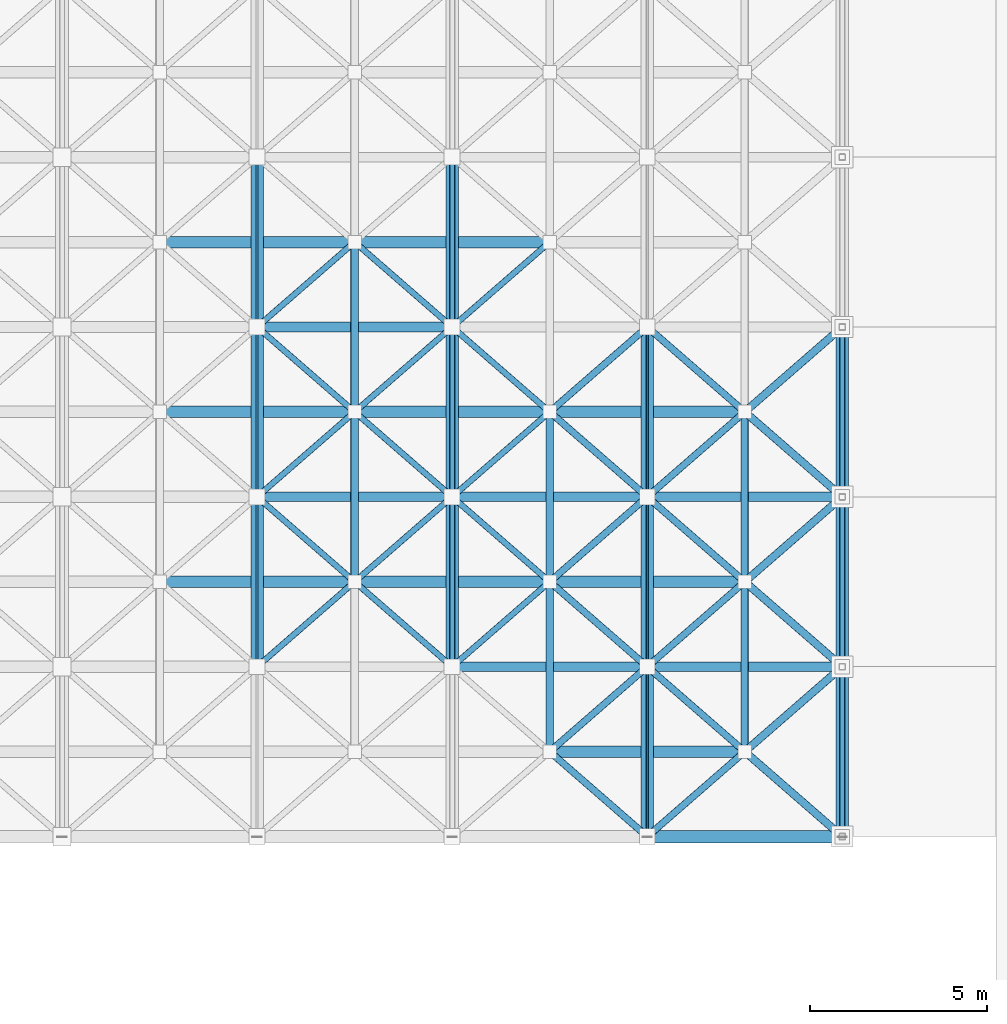
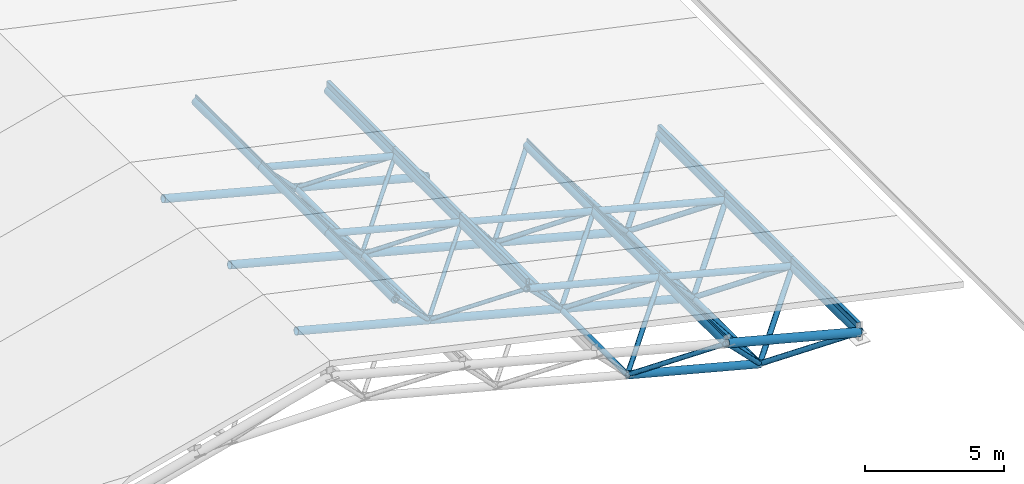
# One storey, part 5 of 60: 79 members.
"""IFC4 building model written with IfcOpenShell, lengths in metres."""

from ifc_helpers import new_model, si_unit, direction, frame, origin, origin_2d, place, context, subcontext, project, spatial, hollow_rectangle, hollow_circle, extrude, material, material_profile, profile_set, type_object, element, save


model = new_model("IFC4")

# Units and contexts
model_context = context("Model", 3, precision=1e-05, world=origin(), true_north=direction((0.0, 1.0)))
body_context = subcontext(model_context, "Body", "Model", "MODEL_VIEW")
ifc_project = project(units=[si_unit("LENGTHUNIT", "METRE"), si_unit("AREAUNIT", "SQUARE_METRE"), si_unit("VOLUMEUNIT", "CUBIC_METRE"), si_unit("PLANEANGLEUNIT", "RADIAN"), si_unit("MASSUNIT", "GRAM", prefix="KILO")], contexts=[model_context])

# Site, building, storey
site_placement = place(None, origin())
site = spatial("IfcSite", under=ifc_project, at=site_placement, CompositionType="ELEMENT")
building_placement = place(site_placement, origin())
building = spatial("IfcBuilding", under=site, at=building_placement, Name="Nakhvara Creek Congress Hotel", CompositionType="ELEMENT")
storey_placement = place(building_placement, frame((0.0, 0.0, 54.60009765625)))
storey = spatial("IfcBuildingStorey", under=building, at=storey_placement, Name="RL1", CompositionType="ELEMENT", Elevation=54.60009765625)

# Members
ifc_material = material(Name="Steel S355J2H", Category="steel")
ifc_material_profile_1 = material_profile(ifc_material, hollow_circle(Radius=0.084228515625, WallThickness=0.010009765625, at=origin_2d()), Name="CHS 168.3x10.0", Category="LoadBearing")
ifc_profile_set_1 = profile_set([ifc_material_profile_1], Name="Steel S355J2H")
member_type_1 = type_object("IfcMemberType", Name="MEM-BRC-CHS168H", PredefinedType="BRACE", material=ifc_profile_set_1)
member_1_placement = place(storey_placement, frame((39.46875, 40.800048828125, -34.050048828125), z_axis=(-0.558223547657, -0.486084649868, 0.672389904746), x_axis=(0.656696195101, -0.754155227616, 0.0)))
element("IfcMember", 1, at=member_1_placement, inside=storey, type_object=member_type_1, Name="Congress Space Frame Web Diagonal 0275", PredefinedType="BRACE", context=body_context, shape_type="SweptSolid", body=[
    extrude(hollow_circle(Radius=0.084228515625, WallThickness=0.010009765625, at=origin_2d()), origin(), (0.0, 0.0, 1.0), 4.937744140625),
])
member_2_placement = place(storey_placement, frame((39.46875, 40.800048828125, -34.050048828125), z_axis=(0.670643902083, -0.583976988608, 0.45739220957), x_axis=(0.656696195101, 0.754155227616, 0.0)))
element("IfcMember", 2, at=member_2_placement, inside=storey, type_object=member_type_1, Name="Congress Space Frame Web Diagonal 0276", PredefinedType="BRACE", context=body_context, shape_type="SweptSolid", body=[
    extrude(hollow_circle(Radius=0.084228515625, WallThickness=0.010009765625, at=origin_2d()), origin(), (0.0, 0.0, 1.0), 4.110107421875),
])
member_3_placement = place(storey_placement, frame((39.46875, 40.800048828125, -34.050048828125), z_axis=(-0.558236963804, 0.486046886997, 0.672406064728), x_axis=(-0.656658200939, -0.754188310132, 0.0)))
element("IfcMember", 3, at=member_3_placement, inside=storey, type_object=member_type_1, Name="Congress Space Frame Web Diagonal 0277", PredefinedType="BRACE", context=body_context, shape_type="SweptSolid", body=[
    extrude(hollow_circle(Radius=0.084228515625, WallThickness=0.010009765625, at=origin_2d()), origin(), (0.0, 0.0, 1.0), 4.9375),
])
member_4_placement = place(storey_placement, frame((39.46875, 40.800048828125, -34.050048828125), z_axis=(0.670667166184, 0.583937842656, 0.457408076139), x_axis=(-0.656658200939, 0.754188310132, 0.0)))
element("IfcMember", 4, at=member_4_placement, inside=storey, type_object=member_type_1, Name="Congress Space Frame Web Diagonal 0278", PredefinedType="BRACE", context=body_context, shape_type="SweptSolid", body=[
    extrude(hollow_circle(Radius=0.084228515625, WallThickness=0.010009765625, at=origin_2d()), origin(), (0.0, 0.0, 1.0), 4.10986328125),
])
member_5_placement = place(storey_placement, frame((44.981201171875, 40.800048828125, -35.489990234375), z_axis=(-0.558208068284, -0.486114227947, 0.672381372355), x_axis=(0.656729278158, -0.754126418587, 0.0)))
element("IfcMember", 5, at=member_5_placement, inside=storey, type_object=member_type_1, Name="Congress Space Frame Web Diagonal 0281", PredefinedType="BRACE", context=body_context, shape_type="SweptSolid", body=[
    extrude(hollow_circle(Radius=0.084228515625, WallThickness=0.010009765625, at=origin_2d()), origin(), (0.0, 0.0, 1.0), 4.9375),
])
member_6_placement = place(storey_placement, frame((44.981201171875, 40.800048828125, -35.489990234375), z_axis=(-0.558221485692, 0.4860764642, 0.672397534099), x_axis=(-0.656691284984, -0.754159503173, 0.0)))
element("IfcMember", 6, at=member_6_placement, inside=storey, type_object=member_type_1, Name="Congress Space Frame Web Diagonal 0283", PredefinedType="BRACE", context=body_context, shape_type="SweptSolid", body=[
    extrude(hollow_circle(Radius=0.084228515625, WallThickness=0.010009765625, at=origin_2d()), origin(), (0.0, 0.0, 1.0), 4.937255859375),
])
member_7_placement = place(storey_placement, frame((39.46875, 45.60009765625, -34.050048828125), z_axis=(-0.558223547657, -0.486084649868, 0.672389904746), x_axis=(0.656696195101, -0.754155227616, 0.0)))
element("IfcMember", 7, at=member_7_placement, inside=storey, type_object=member_type_1, Name="Congress Space Frame Web Diagonal 0322", PredefinedType="BRACE", context=body_context, shape_type="SweptSolid", body=[
    extrude(hollow_circle(Radius=0.084228515625, WallThickness=0.010009765625, at=origin_2d()), origin(), (0.0, 0.0, 1.0), 4.937744140625),
])
member_8_placement = place(storey_placement, frame((39.46875, 45.60009765625, -34.050048828125), z_axis=(0.670643902083, -0.583976988608, 0.45739220957), x_axis=(0.656696195101, 0.754155227616, 0.0)))
element("IfcMember", 8, at=member_8_placement, inside=storey, type_object=member_type_1, Name="Congress Space Frame Web Diagonal 0323", PredefinedType="BRACE", context=body_context, shape_type="SweptSolid", body=[
    extrude(hollow_circle(Radius=0.084228515625, WallThickness=0.010009765625, at=origin_2d()), origin(), (0.0, 0.0, 1.0), 4.110107421875),
])
member_9_placement = place(storey_placement, frame((39.46875, 45.60009765625, -34.050048828125), z_axis=(-0.558236963804, 0.486046886997, 0.672406064728), x_axis=(-0.656658200939, -0.754188310132, 0.0)))
element("IfcMember", 9, at=member_9_placement, inside=storey, type_object=member_type_1, Name="Congress Space Frame Web Diagonal 0324", PredefinedType="BRACE", context=body_context, shape_type="SweptSolid", body=[
    extrude(hollow_circle(Radius=0.084228515625, WallThickness=0.010009765625, at=origin_2d()), origin(), (0.0, 0.0, 1.0), 4.9375),
])
member_10_placement = place(storey_placement, frame((39.46875, 45.60009765625, -34.050048828125), z_axis=(0.670667166184, 0.583937842656, 0.457408076139), x_axis=(-0.656658200939, 0.754188310132, 0.0)))
element("IfcMember", 10, at=member_10_placement, inside=storey, type_object=member_type_1, Name="Congress Space Frame Web Diagonal 0325", PredefinedType="BRACE", context=body_context, shape_type="SweptSolid", body=[
    extrude(hollow_circle(Radius=0.084228515625, WallThickness=0.010009765625, at=origin_2d()), origin(), (0.0, 0.0, 1.0), 4.10986328125),
])
member_11_placement = place(storey_placement, frame((44.981201171875, 45.60009765625, -35.489990234375), z_axis=(-0.558208068284, -0.486114227947, 0.672381372355), x_axis=(0.656729278158, -0.754126418587, 0.0)))
element("IfcMember", 11, at=member_11_placement, inside=storey, type_object=member_type_1, Name="Congress Space Frame Web Diagonal 0328", PredefinedType="BRACE", context=body_context, shape_type="SweptSolid", body=[
    extrude(hollow_circle(Radius=0.084228515625, WallThickness=0.010009765625, at=origin_2d()), origin(), (0.0, 0.0, 1.0), 4.9375),
])
member_12_placement = place(storey_placement, frame((44.981201171875, 45.60009765625, -35.489990234375), z_axis=(-0.558221485692, 0.4860764642, 0.672397534099), x_axis=(-0.656691284984, -0.754159503173, 0.0)))
element("IfcMember", 12, at=member_12_placement, inside=storey, type_object=member_type_1, Name="Congress Space Frame Web Diagonal 0330", PredefinedType="BRACE", context=body_context, shape_type="SweptSolid", body=[
    extrude(hollow_circle(Radius=0.084228515625, WallThickness=0.010009765625, at=origin_2d()), origin(), (0.0, 0.0, 1.0), 4.937255859375),
])
member_13_placement = place(storey_placement, frame((39.46875, 50.39990234375, -34.050048828125), z_axis=(-0.558236963804, -0.486046886997, 0.672406064728), x_axis=(0.656658200939, -0.754188310132, 0.0)))
element("IfcMember", 13, at=member_13_placement, inside=storey, type_object=member_type_1, Name="Congress Space Frame Web Diagonal 0369", PredefinedType="BRACE", context=body_context, shape_type="SweptSolid", body=[
    extrude(hollow_circle(Radius=0.084228515625, WallThickness=0.010009765625, at=origin_2d()), origin(), (0.0, 0.0, 1.0), 4.9375),
])
member_14_placement = place(storey_placement, frame((39.46875, 50.39990234375, -34.050048828125), z_axis=(0.670667166184, -0.583937842656, 0.457408076139), x_axis=(0.656658200939, 0.754188310132, 0.0)))
element("IfcMember", 14, at=member_14_placement, inside=storey, type_object=member_type_1, Name="Congress Space Frame Web Diagonal 0370", PredefinedType="BRACE", context=body_context, shape_type="SweptSolid", body=[
    extrude(hollow_circle(Radius=0.084228515625, WallThickness=0.010009765625, at=origin_2d()), origin(), (0.0, 0.0, 1.0), 4.10986328125),
])
member_15_placement = place(storey_placement, frame((44.981201171875, 50.39990234375, -35.489990234375), z_axis=(-0.558221485692, -0.4860764642, 0.672397534099), x_axis=(0.656691284984, -0.754159503173, 0.0)))
element("IfcMember", 15, at=member_15_placement, inside=storey, type_object=member_type_1, Name="Congress Space Frame Web Diagonal 0375", PredefinedType="BRACE", context=body_context, shape_type="SweptSolid", body=[
    extrude(hollow_circle(Radius=0.084228515625, WallThickness=0.010009765625, at=origin_2d()), origin(), (0.0, 0.0, 1.0), 4.937255859375),
])
ifc_material_profile_2 = material_profile(ifc_material, hollow_circle(Radius=0.096923828125, WallThickness=0.010009765625, at=origin_2d()), Name="CHS 193.7x10.0", Category="LoadBearing")
ifc_profile_set_2 = profile_set([ifc_material_profile_2], Name="Steel S355J2H")
member_type_2 = type_object("IfcMemberType", Name="MEM-BRC-CHS193", PredefinedType="BRACE", material=ifc_profile_set_2)
for number, where, z_axis, x_axis, name in (
    (16, (44.981201171875, 36.0, -35.489990234375), (0.670667166184, -0.583937842656, 0.457408076139), (0.656658200939, 0.754188310132, 0.0), "Congress Space Frame Web Diagonal 0235"),
    (17, (44.981201171875, 36.0, -35.489990234375), (0.670667166184, 0.583937842656, 0.457408076139), (-0.656658200939, 0.754188310132, 0.0), "Congress Space Frame Web Diagonal 0237"),
):
    element("IfcMember", number, at=place(storey_placement, frame(where, z_axis=z_axis, x_axis=x_axis)), inside=storey, type_object=member_type_2, Name=name, PredefinedType="BRACE", context=body_context, shape_type="SweptSolid", body=[
        extrude(hollow_circle(Radius=0.096923828125, WallThickness=0.010009765625, at=origin_2d()), origin(), (0.0, 0.0, 1.0), 4.10986328125),
    ])
for number, where, z_axis, x_axis, name in (
    (18, (50.49365234375, 36.0, -36.93017578125), (-0.558202925689, -0.486060302908, 0.672424624541), (0.656691284984, -0.754159503173, 0.0), "Congress Space Frame Web Diagonal 0239"),
    (19, (50.49365234375, 36.0, -36.93017578125), (-0.558202925689, 0.486060302908, 0.672424624541), (-0.656691284984, -0.754159503173, 0.0), "Congress Space Frame Web Diagonal 0241"),
):
    element("IfcMember", number, at=place(storey_placement, frame(where, z_axis=z_axis, x_axis=x_axis)), inside=storey, type_object=member_type_2, Name=name, PredefinedType="BRACE", context=body_context, shape_type="SweptSolid", body=[
        extrude(hollow_circle(Radius=0.096923828125, WallThickness=0.010009765625, at=origin_2d()), origin(), (0.0, 0.0, 1.0), 4.9375),
    ])
member_16_placement = place(storey_placement, frame((44.981201171875, 40.800048828125, -35.489990234375), z_axis=(0.670643902083, -0.583976988608, 0.45739220957), x_axis=(0.656696195101, 0.754155227616, 0.0)))
element("IfcMember", 20, at=member_16_placement, inside=storey, type_object=member_type_2, Name="Congress Space Frame Web Diagonal 0282", PredefinedType="BRACE", context=body_context, shape_type="SweptSolid", body=[
    extrude(hollow_circle(Radius=0.096923828125, WallThickness=0.010009765625, at=origin_2d()), origin(), (0.0, 0.0, 1.0), 4.110107421875),
])
member_17_placement = place(storey_placement, frame((44.981201171875, 40.800048828125, -35.489990234375), z_axis=(0.670667166184, 0.583937842656, 0.457408076139), x_axis=(-0.656658200939, 0.754188310132, 0.0)))
element("IfcMember", 21, at=member_17_placement, inside=storey, type_object=member_type_2, Name="Congress Space Frame Web Diagonal 0284", PredefinedType="BRACE", context=body_context, shape_type="SweptSolid", body=[
    extrude(hollow_circle(Radius=0.096923828125, WallThickness=0.010009765625, at=origin_2d()), origin(), (0.0, 0.0, 1.0), 4.10986328125),
])
for number, where, z_axis, x_axis, name in (
    (22, (50.49365234375, 40.800048828125, -36.93017578125), (-0.558189509619, -0.486098066176, 0.672408463221), (0.656729278158, -0.754126418587, 0.0), "Congress Space Frame Web Diagonal 0286"),
    (23, (50.49365234375, 40.800048828125, -36.93017578125), (-0.558202925689, 0.486060302908, 0.672424624541), (-0.656691284984, -0.754159503173, 0.0), "Congress Space Frame Web Diagonal 0288"),
):
    element("IfcMember", number, at=place(storey_placement, frame(where, z_axis=z_axis, x_axis=x_axis)), inside=storey, type_object=member_type_2, Name=name, PredefinedType="BRACE", context=body_context, shape_type="SweptSolid", body=[
        extrude(hollow_circle(Radius=0.096923828125, WallThickness=0.010009765625, at=origin_2d()), origin(), (0.0, 0.0, 1.0), 4.9375),
    ])
member_18_placement = place(storey_placement, frame((44.981201171875, 45.60009765625, -35.489990234375), z_axis=(0.670643902083, -0.583976988608, 0.45739220957), x_axis=(0.656696195101, 0.754155227616, 0.0)))
element("IfcMember", 24, at=member_18_placement, inside=storey, type_object=member_type_2, Name="Congress Space Frame Web Diagonal 0329", PredefinedType="BRACE", context=body_context, shape_type="SweptSolid", body=[
    extrude(hollow_circle(Radius=0.096923828125, WallThickness=0.010009765625, at=origin_2d()), origin(), (0.0, 0.0, 1.0), 4.110107421875),
])
member_19_placement = place(storey_placement, frame((44.981201171875, 45.60009765625, -35.489990234375), z_axis=(0.670667166184, 0.583937842656, 0.457408076139), x_axis=(-0.656658200939, 0.754188310132, 0.0)))
element("IfcMember", 25, at=member_19_placement, inside=storey, type_object=member_type_2, Name="Congress Space Frame Web Diagonal 0331", PredefinedType="BRACE", context=body_context, shape_type="SweptSolid", body=[
    extrude(hollow_circle(Radius=0.096923828125, WallThickness=0.010009765625, at=origin_2d()), origin(), (0.0, 0.0, 1.0), 4.10986328125),
])
for number, where, z_axis, x_axis, name in (
    (26, (50.49365234375, 45.60009765625, -36.93017578125), (-0.558189509619, -0.486098066176, 0.672408463221), (0.656729278158, -0.754126418587, 0.0), "Congress Space Frame Web Diagonal 0333"),
    (27, (50.49365234375, 45.60009765625, -36.93017578125), (-0.558202925689, 0.486060302908, 0.672424624541), (-0.656691284984, -0.754159503173, 0.0), "Congress Space Frame Web Diagonal 0335"),
):
    element("IfcMember", number, at=place(storey_placement, frame(where, z_axis=z_axis, x_axis=x_axis)), inside=storey, type_object=member_type_2, Name=name, PredefinedType="BRACE", context=body_context, shape_type="SweptSolid", body=[
        extrude(hollow_circle(Radius=0.096923828125, WallThickness=0.010009765625, at=origin_2d()), origin(), (0.0, 0.0, 1.0), 4.9375),
    ])
ifc_material_profile_3 = material_profile(ifc_material, hollow_circle(Radius=0.109619140625, WallThickness=0.010009765625, at=origin_2d()), Name="CHS 219.1x10.0", Category="LoadBearing")
ifc_profile_set_3 = profile_set([ifc_material_profile_3], Name="Steel S355J2H")
member_type_3 = type_object("IfcMemberType", Name="MEM-BRC-CHS219", PredefinedType="BRACE", material=ifc_profile_set_3)
for number, where, z_axis, x_axis, name in (
    (28, (50.49365234375, 36.0, -36.93017578125), (0.670648942571, -0.583921975684, 0.457455049313), (0.656658200939, 0.754188310132, 0.0), "Congress Space Frame Web Diagonal 0240"),
    (29, (50.49365234375, 36.0, -36.93017578125), (0.670648942571, 0.583921975684, 0.457455049313), (-0.656658200939, 0.754188310132, 0.0), "Congress Space Frame Web Diagonal 0242"),
):
    element("IfcMember", number, at=place(storey_placement, frame(where, z_axis=z_axis, x_axis=x_axis)), inside=storey, type_object=member_type_3, Name=name, PredefinedType="BRACE", context=body_context, shape_type="SweptSolid", body=[
        extrude(hollow_circle(Radius=0.109619140625, WallThickness=0.010009765625, at=origin_2d()), origin(), (0.0, 0.0, 1.0), 4.10986328125),
    ])
member_20_placement = place(storey_placement, frame((50.49365234375, 40.800048828125, -36.93017578125), z_axis=(0.670625680367, -0.583961121673, 0.457439181976), x_axis=(0.656696195101, 0.754155227616, 0.0)))
element("IfcMember", 30, at=member_20_placement, inside=storey, type_object=member_type_3, Name="Congress Space Frame Web Diagonal 0287", PredefinedType="BRACE", context=body_context, shape_type="SweptSolid", body=[
    extrude(hollow_circle(Radius=0.109619140625, WallThickness=0.010009765625, at=origin_2d()), origin(), (0.0, 0.0, 1.0), 4.110107421875),
])
member_21_placement = place(storey_placement, frame((50.49365234375, 40.800048828125, -36.93017578125), z_axis=(0.670648942571, 0.583921975684, 0.457455049313), x_axis=(-0.656658200939, 0.754188310132, 0.0)))
element("IfcMember", 31, at=member_21_placement, inside=storey, type_object=member_type_3, Name="Congress Space Frame Web Diagonal 0289", PredefinedType="BRACE", context=body_context, shape_type="SweptSolid", body=[
    extrude(hollow_circle(Radius=0.109619140625, WallThickness=0.010009765625, at=origin_2d()), origin(), (0.0, 0.0, 1.0), 4.10986328125),
])
member_22_placement = place(storey_placement, frame((50.49365234375, 45.60009765625, -36.93017578125), z_axis=(0.670625680367, -0.583961121673, 0.457439181976), x_axis=(0.656696195101, 0.754155227616, 0.0)))
element("IfcMember", 32, at=member_22_placement, inside=storey, type_object=member_type_3, Name="Congress Space Frame Web Diagonal 0334", PredefinedType="BRACE", context=body_context, shape_type="SweptSolid", body=[
    extrude(hollow_circle(Radius=0.109619140625, WallThickness=0.010009765625, at=origin_2d()), origin(), (0.0, 0.0, 1.0), 4.110107421875),
])
member_23_placement = place(storey_placement, frame((50.49365234375, 45.60009765625, -36.93017578125), z_axis=(0.670648942571, 0.583921975684, 0.457455049313), x_axis=(-0.656658200939, 0.754188310132, 0.0)))
element("IfcMember", 33, at=member_23_placement, inside=storey, type_object=member_type_3, Name="Congress Space Frame Web Diagonal 0336", PredefinedType="BRACE", context=body_context, shape_type="SweptSolid", body=[
    extrude(hollow_circle(Radius=0.109619140625, WallThickness=0.010009765625, at=origin_2d()), origin(), (0.0, 0.0, 1.0), 4.10986328125),
])
ifc_material_profile_4 = material_profile(ifc_material, hollow_circle(Radius=0.109619140625, WallThickness=0.012451171875, at=origin_2d()), Name="CHS 219.1x12.5", Category="LoadBearing")
ifc_profile_set_4 = profile_set([ifc_material_profile_4], Name="Steel S355J2H")
member_type_4 = type_object("IfcMemberType", Name="MEM-CHD-CHS219H", PredefinedType="CHORD", material=ifc_profile_set_4)
for number, where, z_axis, x_axis, name in (
    (34, (44.981201171875, 36.0, -35.489990234375), (0.0, 1.0, 0.0), (-1.0, 0.0, 0.0), "Congress Roof Truss Bottom Tie 0233"),
    (35, (50.49365234375, 36.0, -36.93017578125), (0.0, 1.0, 0.0), (-1.0, 0.0, 0.0), "Congress Roof Truss Bottom Tie 0238"),
    (36, (39.46875, 40.800048828125, -34.050048828125), (0.0, 1.0, 0.0), (-1.0, 0.0, 0.0), "Congress Roof Truss Bottom Tie 0274"),
    (37, (44.981201171875, 40.800048828125, -35.489990234375), (0.0, 1.0, 0.0), (-1.0, 0.0, 0.0), "Congress Roof Truss Bottom Tie 0280"),
    (38, (50.49365234375, 40.800048828125, -36.93017578125), (0.0, 1.0, 0.0), (-1.0, 0.0, 0.0), "Congress Roof Truss Bottom Tie 0285"),
):
    element("IfcMember", number, at=place(storey_placement, frame(where, z_axis=z_axis, x_axis=x_axis)), inside=storey, type_object=member_type_4, Name=name, PredefinedType="CHORD", context=body_context, shape_type="SweptSolid", body=[
        extrude(hollow_circle(Radius=0.109619140625, WallThickness=0.012451171875, at=origin_2d()), origin(), (0.0, 0.0, 1.0), 4.800048828125),
    ])
member_24_placement = place(storey_placement, frame((39.46875, 45.60009765625, -34.050048828125), z_axis=(0.0, 1.0, 0.0), x_axis=(-1.0, 0.0, 0.0)))
element("IfcMember", 39, at=member_24_placement, inside=storey, type_object=member_type_4, Name="Congress Roof Truss Bottom Tie 0321", PredefinedType="CHORD", context=body_context, shape_type="SweptSolid", body=[
    extrude(hollow_circle(Radius=0.109619140625, WallThickness=0.012451171875, at=origin_2d()), origin(), (0.0, 0.0, 1.0), 4.7998046875),
])
ifc_material_profile_5 = material_profile(ifc_material, hollow_circle(Radius=0.136474609375, WallThickness=0.01611328125, at=origin_2d()), Name="CHS 273.0x16.0", Category="LoadBearing")
ifc_profile_set_5 = profile_set([ifc_material_profile_5], Name="Steel S355J2H")
member_type_5 = type_object("IfcMemberType", Name="MEM-CHD-CHS273H", PredefinedType="CHORD", material=ifc_profile_set_5)
for number, where, z_axis, x_axis, name in (
    (40, (42.22509765625, 38.39990234375, -32.170166015625), (0.967535311358, 0.0, -0.252735872554), (0.0, 1.0, 0.0), "Congress Space Frame Top Chord 0030"),
    (41, (47.737548828125, 38.39990234375, -33.610107421875), (0.967535311358, 0.0, -0.252735872554), (0.0, 1.0, 0.0), "Congress Space Frame Top Chord 0032"),
):
    element("IfcMember", number, at=place(storey_placement, frame(where, z_axis=z_axis, x_axis=x_axis)), inside=storey, type_object=member_type_5, Name=name, PredefinedType="CHORD", context=body_context, shape_type="SweptSolid", body=[
        extrude(hollow_circle(Radius=0.136474609375, WallThickness=0.01611328125, at=origin_2d()), origin(), (0.0, 0.0, 1.0), 5.697509765625),
    ])
member_25_placement = place(storey_placement, frame((36.71240234375, 43.199951171875, -30.72998046875), z_axis=(0.967527570021, 0.0, -0.252765506446), x_axis=(0.0, 1.0, 0.0)))
element("IfcMember", 42, at=member_25_placement, inside=storey, type_object=member_type_5, Name="Congress Space Frame Top Chord 0045", PredefinedType="CHORD", context=body_context, shape_type="SweptSolid", body=[
    extrude(hollow_circle(Radius=0.136474609375, WallThickness=0.01611328125, at=origin_2d()), origin(), (0.0, 0.0, 1.0), 5.69775390625),
])
for number, where, z_axis, x_axis, name in (
    (43, (42.22509765625, 43.199951171875, -32.170166015625), (0.967535311358, 0.0, -0.252735872554), (0.0, 1.0, 0.0), "Congress Space Frame Top Chord 0047"),
    (44, (47.737548828125, 43.199951171875, -33.610107421875), (0.967535311358, 0.0, -0.252735872554), (0.0, 1.0, 0.0), "Congress Space Frame Top Chord 0049"),
):
    element("IfcMember", number, at=place(storey_placement, frame(where, z_axis=z_axis, x_axis=x_axis)), inside=storey, type_object=member_type_5, Name=name, PredefinedType="CHORD", context=body_context, shape_type="SweptSolid", body=[
        extrude(hollow_circle(Radius=0.136474609375, WallThickness=0.01611328125, at=origin_2d()), origin(), (0.0, 0.0, 1.0), 5.697509765625),
    ])
member_26_placement = place(storey_placement, frame((36.71240234375, 48.0, -30.72998046875), z_axis=(0.967527570021, 0.0, -0.252765506446), x_axis=(0.0, 1.0, 0.0)))
element("IfcMember", 45, at=member_26_placement, inside=storey, type_object=member_type_5, Name="Congress Space Frame Top Chord 0062", PredefinedType="CHORD", context=body_context, shape_type="SweptSolid", body=[
    extrude(hollow_circle(Radius=0.136474609375, WallThickness=0.01611328125, at=origin_2d()), origin(), (0.0, 0.0, 1.0), 5.69775390625),
])
ifc_material_profile_6 = material_profile(ifc_material, hollow_circle(Radius=0.161865234375, WallThickness=0.012451171875, at=origin_2d()), Name="CHS 323.9x12.5", Category="LoadBearing")
ifc_profile_set_6 = profile_set([ifc_material_profile_6], Name="Steel S355J2H")
member_type_6 = type_object("IfcMemberType", Name="MEM-CHD-CHS324", PredefinedType="CHORD", material=ifc_profile_set_6)
for number, where, z_axis, x_axis, name in (
    (46, (44.981201171875, 36.0, -35.489990234375), (0.967524832219, 0.0, -0.252775985883), (0.0, 1.0, 0.0), "Congress Space Frame Bottom Chord 0232"),
    (47, (33.956298828125, 40.800048828125, -32.610107421875), (0.967535311358, 0.0, -0.252735872554), (0.0, 1.0, 0.0), "Congress Space Frame Bottom Chord 0267"),
    (48, (39.46875, 40.800048828125, -34.050048828125), (0.967535311358, 0.0, -0.252735872554), (0.0, 1.0, 0.0), "Congress Space Frame Bottom Chord 0273"),
    (49, (44.981201171875, 40.800048828125, -35.489990234375), (0.967524832219, 0.0, -0.252775985883), (0.0, 1.0, 0.0), "Congress Space Frame Bottom Chord 0279"),
    (50, (33.956298828125, 45.60009765625, -32.610107421875), (0.967535311358, 0.0, -0.252735872554), (0.0, 1.0, 0.0), "Congress Space Frame Bottom Chord 0314"),
    (51, (39.46875, 45.60009765625, -34.050048828125), (0.967535311358, 0.0, -0.252735872554), (0.0, 1.0, 0.0), "Congress Space Frame Bottom Chord 0320"),
    (52, (44.981201171875, 45.60009765625, -35.489990234375), (0.967524832219, 0.0, -0.252775985883), (0.0, 1.0, 0.0), "Congress Space Frame Bottom Chord 0326"),
    (53, (33.956298828125, 50.39990234375, -32.610107421875), (0.967535311358, 0.0, -0.252735872554), (0.0, 1.0, 0.0), "Congress Space Frame Bottom Chord 0361"),
    (54, (39.46875, 50.39990234375, -34.050048828125), (0.967535311358, 0.0, -0.252735872554), (0.0, 1.0, 0.0), "Congress Space Frame Bottom Chord 0367"),
):
    element("IfcMember", number, at=place(storey_placement, frame(where, z_axis=z_axis, x_axis=x_axis)), inside=storey, type_object=member_type_6, Name=name, PredefinedType="CHORD", context=body_context, shape_type="SweptSolid", body=[
        extrude(hollow_circle(Radius=0.161865234375, WallThickness=0.012451171875, at=origin_2d()), origin(), (0.0, 0.0, 1.0), 5.697509765625),
    ])
ifc_material_profile_7 = material_profile(ifc_material, hollow_circle(Radius=0.177734375, WallThickness=0.01611328125, at=origin_2d()), Name="CHS 355.6x16.0", Category="LoadBearing")
ifc_profile_set_7 = profile_set([ifc_material_profile_7], Name="Steel S355J2H")
member_type_7 = type_object("IfcMemberType", Name="MEM-CHD-CHS355", PredefinedType="CHORD", material=ifc_profile_set_7)
member_27_placement = place(storey_placement, frame((47.737548828125, 33.60009765625, -33.610107421875), z_axis=(0.967535311358, 0.0, -0.252735872554), x_axis=(0.0, 1.0, 0.0)))
element("IfcMember", 55, at=member_27_placement, inside=storey, type_object=member_type_7, Name="Congress Space Frame Top Chord 0015", PredefinedType="CHORD", context=body_context, shape_type="SweptSolid", body=[
    extrude(hollow_circle(Radius=0.177734375, WallThickness=0.01611328125, at=origin_2d()), origin(), (0.0, 0.0, 1.0), 5.697509765625),
])
for number, where, z_axis, x_axis, name in (
    (56, (47.737548828125, 33.60009765625, -33.610107421875), (0.0, 1.0, 0.0), (-1.0, 0.0, 0.0), "Congress Roof Truss Longitudinal Chord 0016"),
    (57, (53.25, 33.60009765625, -35.050048828125), (0.0, 1.0, 0.0), (-1.0, 0.0, 0.0), "Congress Roof Truss Longitudinal Chord 0017"),
):
    element("IfcMember", number, at=place(storey_placement, frame(where, z_axis=z_axis, x_axis=x_axis)), inside=storey, type_object=member_type_7, Name=name, PredefinedType="CHORD", context=body_context, shape_type="SweptSolid", body=[
        extrude(hollow_circle(Radius=0.177734375, WallThickness=0.01611328125, at=origin_2d()), origin(), (0.0, 0.0, 1.0), 4.7998046875),
    ])
for number, where, z_axis, x_axis, name in (
    (58, (36.71240234375, 38.39990234375, -30.72998046875), (0.0, 1.0, 0.0), (-1.0, 0.0, 0.0), "Congress Roof Truss Longitudinal Chord 0029"),
    (59, (42.22509765625, 38.39990234375, -32.170166015625), (0.0, 1.0, 0.0), (-1.0, 0.0, 0.0), "Congress Roof Truss Longitudinal Chord 0031"),
    (60, (47.737548828125, 38.39990234375, -33.610107421875), (0.0, 1.0, 0.0), (-1.0, 0.0, 0.0), "Congress Roof Truss Longitudinal Chord 0033"),
    (61, (53.25, 38.39990234375, -35.050048828125), (0.0, 1.0, 0.0), (-1.0, 0.0, 0.0), "Congress Roof Truss Longitudinal Chord 0034"),
    (62, (36.71240234375, 43.199951171875, -30.72998046875), (0.0, 1.0, 0.0), (-1.0, 0.0, 0.0), "Congress Roof Truss Longitudinal Chord 0046"),
    (63, (42.22509765625, 43.199951171875, -32.170166015625), (0.0, 1.0, 0.0), (-1.0, 0.0, 0.0), "Congress Roof Truss Longitudinal Chord 0048"),
    (64, (47.737548828125, 43.199951171875, -33.610107421875), (0.0, 1.0, 0.0), (-1.0, 0.0, 0.0), "Congress Roof Truss Longitudinal Chord 0050"),
    (65, (53.25, 43.199951171875, -35.050048828125), (0.0, 1.0, 0.0), (-1.0, 0.0, 0.0), "Congress Roof Truss Longitudinal Chord 0051"),
    (66, (36.71240234375, 48.0, -30.72998046875), (0.0, 1.0, 0.0), (-1.0, 0.0, 0.0), "Congress Roof Truss Longitudinal Chord 0063"),
    (67, (42.22509765625, 48.0, -32.170166015625), (0.0, 1.0, 0.0), (-1.0, 0.0, 0.0), "Congress Roof Truss Longitudinal Chord 0065"),
):
    element("IfcMember", number, at=place(storey_placement, frame(where, z_axis=z_axis, x_axis=x_axis)), inside=storey, type_object=member_type_7, Name=name, PredefinedType="CHORD", context=body_context, shape_type="SweptSolid", body=[
        extrude(hollow_circle(Radius=0.177734375, WallThickness=0.01611328125, at=origin_2d()), origin(), (0.0, 0.0, 1.0), 4.800048828125),
    ])
ifc_material_profile_8 = material_profile(ifc_material, hollow_rectangle(XDim=0.06005859375, YDim=0.1201171875, WallThickness=0.0048828125, InnerFilletRadius=0.0048828125, OuterFilletRadius=0.010009765625, at=origin_2d()), Name="RHS 120x60x5.0", Category="LoadBearing")
ifc_profile_set_8 = profile_set([ifc_material_profile_8], Name="Steel S355J2H")
member_type_8 = type_object("IfcMemberType", Name="MEM-PUR-RHS120", PredefinedType="PURLIN", material=ifc_profile_set_8)
for number, where, z_axis, x_axis, name in (
    (68, (36.71240234375, 38.39990234375, -30.498046875), (0.0, 1.0, 0.0), (-1.0, 0.0, 0.0), "Congress Roof Purlin 057"),
    (69, (36.71240234375, 43.199951171875, -30.498046875), (0.0, 1.0, 0.0), (-1.0, 0.0, 0.0), "Congress Roof Purlin 058"),
    (70, (36.71240234375, 48.0, -30.498046875), (0.0, 1.0, 0.0), (-1.0, 0.0, 0.0), "Congress Roof Purlin 059"),
):
    element("IfcMember", number, at=place(storey_placement, frame(where, z_axis=z_axis, x_axis=x_axis)), inside=storey, type_object=member_type_8, Name=name, PredefinedType="PURLIN", context=body_context, shape_type="SweptSolid", body=[
        extrude(hollow_rectangle(XDim=0.06005859375, YDim=0.1201171875, WallThickness=0.0048828125, InnerFilletRadius=0.0048828125, OuterFilletRadius=0.010009765625, at=origin_2d()), origin(), (0.0, 0.0, 1.0), 4.800048828125),
    ])
member_28_placement = place(storey_placement, frame((47.737548828125, 33.60009765625, -33.378173828125), z_axis=(0.0, 1.0, 0.0), x_axis=(-1.0, 0.0, 0.0)))
element("IfcMember", 71, at=member_28_placement, inside=storey, type_object=member_type_8, Name="Congress Roof Purlin 078", PredefinedType="PURLIN", context=body_context, shape_type="SweptSolid", body=[
    extrude(hollow_rectangle(XDim=0.06005859375, YDim=0.1201171875, WallThickness=0.0048828125, InnerFilletRadius=0.0048828125, OuterFilletRadius=0.010009765625, at=origin_2d()), origin(), (0.0, 0.0, 1.0), 4.7998046875),
])
for number, where, z_axis, x_axis, name in (
    (72, (47.737548828125, 38.39990234375, -33.378173828125), (0.0, 1.0, 0.0), (-1.0, 0.0, 0.0), "Congress Roof Purlin 079"),
    (73, (47.737548828125, 43.199951171875, -33.378173828125), (0.0, 1.0, 0.0), (-1.0, 0.0, 0.0), "Congress Roof Purlin 080"),
):
    element("IfcMember", number, at=place(storey_placement, frame(where, z_axis=z_axis, x_axis=x_axis)), inside=storey, type_object=member_type_8, Name=name, PredefinedType="PURLIN", context=body_context, shape_type="SweptSolid", body=[
        extrude(hollow_rectangle(XDim=0.06005859375, YDim=0.1201171875, WallThickness=0.0048828125, InnerFilletRadius=0.0048828125, OuterFilletRadius=0.010009765625, at=origin_2d()), origin(), (0.0, 0.0, 1.0), 4.800048828125),
    ])
ifc_material_profile_9 = material_profile(ifc_material, hollow_rectangle(XDim=0.14990234375, YDim=0.25, WallThickness=0.010009765625, InnerFilletRadius=0.010009765625, OuterFilletRadius=0.02001953125, at=origin_2d()), Name="RHS 250x150x10.0", Category="LoadBearing")
ifc_profile_set_9 = profile_set([ifc_material_profile_9], Name="Steel S355J2H")
member_type_9 = type_object("IfcMemberType", Name="MEM-PUR-RHS250", PredefinedType="PURLIN", material=ifc_profile_set_9)
for number, where, z_axis, x_axis, name in (
    (74, (42.22509765625, 38.39990234375, -31.873046875), (0.0, 1.0, 0.0), (-1.0, 0.0, 0.0), "Congress Roof Purlin 068"),
    (75, (42.22509765625, 43.199951171875, -31.873046875), (0.0, 1.0, 0.0), (-1.0, 0.0, 0.0), "Congress Roof Purlin 069"),
    (76, (42.22509765625, 48.0, -31.873046875), (0.0, 1.0, 0.0), (-1.0, 0.0, 0.0), "Congress Roof Purlin 070"),
):
    element("IfcMember", number, at=place(storey_placement, frame(where, z_axis=z_axis, x_axis=x_axis)), inside=storey, type_object=member_type_9, Name=name, PredefinedType="PURLIN", context=body_context, shape_type="SweptSolid", body=[
        extrude(hollow_rectangle(XDim=0.14990234375, YDim=0.25, WallThickness=0.010009765625, InnerFilletRadius=0.010009765625, OuterFilletRadius=0.02001953125, at=origin_2d()), origin(), (0.0, 0.0, 1.0), 4.800048828125),
    ])
member_29_placement = place(storey_placement, frame((53.25, 33.60009765625, -34.753173828125), z_axis=(0.0, 1.0, 0.0), x_axis=(-1.0, 0.0, 0.0)))
element("IfcMember", 77, at=member_29_placement, inside=storey, type_object=member_type_9, Name="Congress Roof Purlin 089", PredefinedType="PURLIN", context=body_context, shape_type="SweptSolid", body=[
    extrude(hollow_rectangle(XDim=0.14990234375, YDim=0.25, WallThickness=0.010009765625, InnerFilletRadius=0.010009765625, OuterFilletRadius=0.02001953125, at=origin_2d()), origin(), (0.0, 0.0, 1.0), 4.7998046875),
])
for number, where, z_axis, x_axis, name in (
    (78, (53.25, 38.39990234375, -34.753173828125), (0.0, 1.0, 0.0), (-1.0, 0.0, 0.0), "Congress Roof Purlin 090"),
    (79, (53.25, 43.199951171875, -34.753173828125), (0.0, 1.0, 0.0), (-1.0, 0.0, 0.0), "Congress Roof Purlin 091"),
):
    element("IfcMember", number, at=place(storey_placement, frame(where, z_axis=z_axis, x_axis=x_axis)), inside=storey, type_object=member_type_9, Name=name, PredefinedType="PURLIN", context=body_context, shape_type="SweptSolid", body=[
        extrude(hollow_rectangle(XDim=0.14990234375, YDim=0.25, WallThickness=0.010009765625, InnerFilletRadius=0.010009765625, OuterFilletRadius=0.02001953125, at=origin_2d()), origin(), (0.0, 0.0, 1.0), 4.800048828125),
    ])

save(model, "model.ifc")
